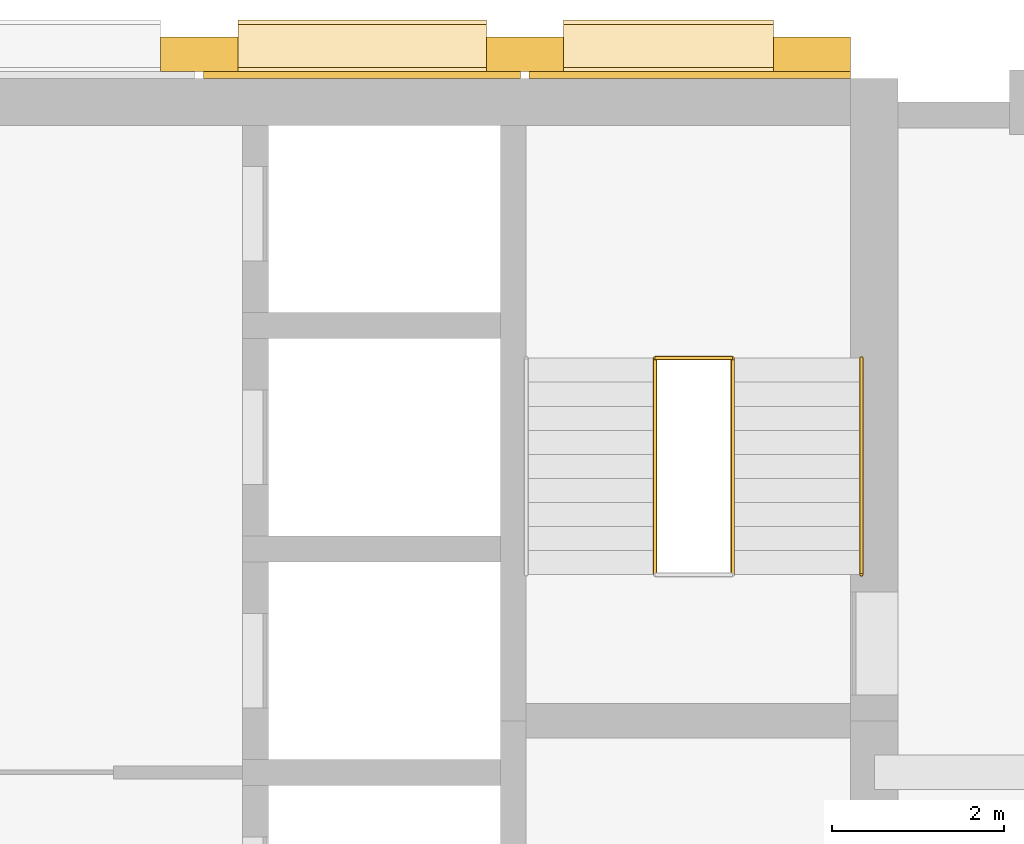
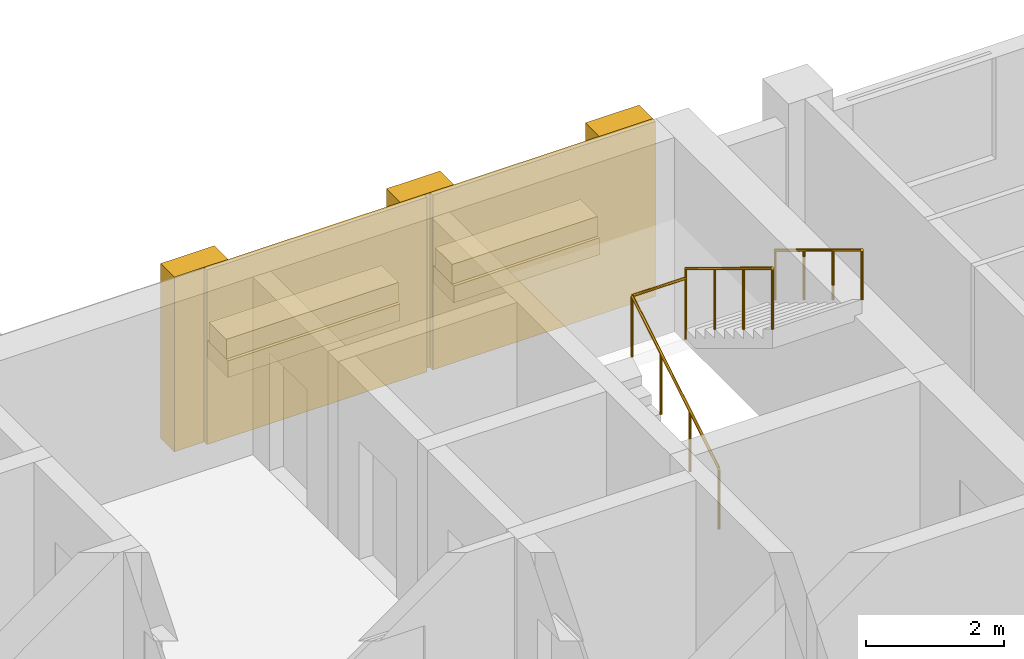
# One storey, part 13 of 13: 9 coverings, 4 railings, 1 element without a shape of its own.
"""IFC4 building model written with IfcOpenShell, lengths in metres."""

from ifc_helpers import new_model, si_unit, direction, frame, origin, origin_2d, place, context, subcontext, project, spatial, rectangle, circle, extrude, material, layer, layer_set, type_object, element, aggregate, save


model = new_model("IFC4")

# Units and contexts
model_context = context("Model", 3, precision=1e-05, world=origin(), true_north=direction((0.0, 1.0)))
body_context = subcontext(model_context, "Body", "Model", "MODEL_VIEW")
ifc_project = project(units=[si_unit("LENGTHUNIT", "METRE"), si_unit("AREAUNIT", "SQUARE_METRE"), si_unit("VOLUMEUNIT", "CUBIC_METRE"), si_unit("PLANEANGLEUNIT", "RADIAN"), si_unit("MASSUNIT", "GRAM", prefix="KILO")], contexts=[model_context])

# Site, building, storey
site_placement = place(None, origin())
site = spatial("IfcSite", under=ifc_project, at=site_placement, CompositionType="ELEMENT")
building_placement = place(site_placement, origin())
building = spatial("IfcBuilding", under=site, at=building_placement, Name="Ludao Terraces", CompositionType="ELEMENT")
storey_placement = place(building_placement, frame((0.0, 0.0, 148.60009765625)))
storey = spatial("IfcBuildingStorey", under=building, at=storey_placement, Name="L40", CompositionType="ELEMENT", Elevation=148.60009765625)

# Coverings
ifc_material_1 = material(Name="Granite cladding", Category="masonry")
ifc_layer_1 = layer(ifc_material_1, 0.39990234375)
ifc_layer_set_1 = layer_set([ifc_layer_1], Name="ENV Core pilaster stone 400")
covering_type_1 = type_object("IfcCoveringType", Name="ENV Core pilaster stone 400", PredefinedType="CLADDING", material=ifc_layer_set_1)
for number, where, z_axis, x_axis, name in (
    (1, (86.89501953125, 85.054931640625, -0.000244140625), (0.0, 0.0, 1.0), (1.0, 0.0, 0.0), "CC-L40-PIL4"),
    (2, (90.68505859375, 85.054931640625, -0.000244140625), (0.0, 0.0, 1.0), (1.0, 0.0, 0.0), "CC-L40-PIL5"),
    (3, (94.02490234375, 85.054931640625, -0.000244140625), (0.0, 0.0, 1.0), (1.0, 0.0, 0.0), "CC-L40-PIL6"),
):
    element("IfcCovering", number, at=place(storey_placement, frame(where, z_axis=z_axis, x_axis=x_axis)), inside=storey, type_object=covering_type_1, Name=name, PredefinedType="CLADDING", context=body_context, shape_type="SweptSolid", body=[
        extrude(rectangle(XDim=0.89990234375, YDim=0.39990234375, at=origin_2d()), origin(), (0.0, 0.0, 1.0), 3.10009765625),
    ])
ifc_layer_2 = layer(ifc_material_1, 0.60009765625)
ifc_layer_set_2 = layer_set([ifc_layer_2], Name="ENV Core planting shelf stone 600")
covering_type_2 = type_object("IfcCoveringType", Name="ENV Core planting shelf stone 600", PredefinedType="CLADDING", material=ifc_layer_set_2)
covering_1_placement = place(storey_placement, frame((88.7900390625, 85.155029296875, 1.0), z_axis=(0.0, 0.0, 1.0), x_axis=(1.0, 0.0, 0.0)))
element("IfcCovering", 4, at=covering_1_placement, inside=storey, type_object=covering_type_2, Name="CC-L40-SHELF4", PredefinedType="CLADDING", context=body_context, shape_type="SweptSolid", body=[
    extrude(rectangle(XDim=2.889892578125, YDim=0.60009765625, at=origin_2d()), origin(), (0.0, 0.0, 1.0), 0.300048828125),
])
covering_2_placement = place(storey_placement, frame((92.35498046875, 85.155029296875, 1.0), z_axis=(0.0, 0.0, 1.0), x_axis=(1.0, 0.0, 0.0)))
element("IfcCovering", 5, at=covering_2_placement, inside=storey, type_object=covering_type_2, Name="CC-L40-SHELF5", PredefinedType="CLADDING", context=body_context, shape_type="SweptSolid", body=[
    extrude(rectangle(XDim=2.43994140625, YDim=0.60009765625, at=origin_2d()), origin(), (0.0, 0.0, 1.0), 0.300048828125),
])
ifc_layer_3 = layer(ifc_material_1, 0.080078125)
ifc_layer_set_3 = layer_set([ifc_layer_3], Name="ENV Core stone cladding panel 80")
covering_type_3 = type_object("IfcCoveringType", Name="ENV Core stone cladding panel 80", PredefinedType="CLADDING", material=ifc_layer_set_3)
covering_3_placement = place(storey_placement, frame((88.7900390625, 84.81494140625, -0.000244140625), z_axis=(0.0, 0.0, 1.0), x_axis=(1.0, 0.0, 0.0)))
element("IfcCovering", 6, at=covering_3_placement, inside=storey, type_object=covering_type_3, Name="CC-L40-CORE4", PredefinedType="CLADDING", context=body_context, shape_type="SweptSolid", body=[
    extrude(rectangle(XDim=3.68994140625, YDim=0.080078125, at=origin_2d()), origin(), (0.0, 0.0, 1.0), 3.10009765625),
])
covering_4_placement = place(storey_placement, frame((92.60498046875, 84.81494140625, -0.000244140625), z_axis=(0.0, 0.0, 1.0), x_axis=(1.0, 0.0, 0.0)))
element("IfcCovering", 7, at=covering_4_placement, inside=storey, type_object=covering_type_3, Name="CC-L40-CORE5", PredefinedType="CLADDING", context=body_context, shape_type="SweptSolid", body=[
    extrude(rectangle(XDim=3.739990234375, YDim=0.080078125, at=origin_2d()), origin(), (0.0, 0.0, 1.0), 3.10009765625),
])
ifc_material_2 = material(Name="Planting")
ifc_layer_4 = layer(ifc_material_2, 0.5)
ifc_layer_set_4 = layer_set([ifc_layer_4], Name="ENV Shelf planting bed 350")
covering_type_4 = type_object("IfcCoveringType", Name="ENV Shelf planting bed 350", PredefinedType="USERDEFINED", material=ifc_layer_set_4)
covering_5_placement = place(storey_placement, frame((88.7900390625, 85.155029296875, 1.2998046875), z_axis=(0.0, 0.0, 1.0), x_axis=(1.0, 0.0, 0.0)))
element("IfcCovering", 8, at=covering_5_placement, inside=storey, type_object=covering_type_4, Name="Shelf planting bed L40 4", ObjectType="PLANTING", PredefinedType="USERDEFINED", context=body_context, shape_type="SweptSolid", body=[
    extrude(rectangle(XDim=2.889892578125, YDim=0.5, at=origin_2d()), origin(), (0.0, 0.0, 1.0), 0.35009765625),
])
covering_6_placement = place(storey_placement, frame((92.35498046875, 85.155029296875, 1.2998046875), z_axis=(0.0, 0.0, 1.0), x_axis=(1.0, 0.0, 0.0)))
element("IfcCovering", 9, at=covering_6_placement, inside=storey, type_object=covering_type_4, Name="Shelf planting bed L40 5", ObjectType="PLANTING", PredefinedType="USERDEFINED", context=body_context, shape_type="SweptSolid", body=[
    extrude(rectangle(XDim=2.43994140625, YDim=0.5, at=origin_2d()), origin(), (0.0, 0.0, 1.0), 0.35009765625),
])

# Stair, railings
ifc_material_3 = material(Name="Concrete C40", Category="concrete")
stair_type = type_object("IfcStairType", Name="INT Stair", PredefinedType="HALF_TURN_STAIR", material=ifc_material_3)
stair_placement = place(storey_placement, origin())
stair = element("IfcStair", 10, at=stair_placement, inside=storey, type_object=stair_type, Name="EXIT STAIR 2", PredefinedType="HALF_TURN_STAIR")
ifc_material_4 = material(Name="Stainless steel 304", Category="steel")
railing_type_1 = type_object("IfcRailingType", Name="INT Stair guard 1100", PredefinedType="GUARDRAIL", material=ifc_material_4)
railing_1_placement = place(storey_placement, frame((92.199951171875, 79.0, 0.169921875)))
railing_1 = element("IfcRailing", 11, at=railing_1_placement, type_object=railing_type_1, Name="ST-L40-S2-R1G", PredefinedType="GUARDRAIL", context=body_context, shape_type="SweptSolid", body=[
    extrude(circle(Radius=0.02392578125, at=origin_2d()), frame((0.0, 0.0, 1.076171875), z_axis=(0.0, 0.85478489116, 0.518982456201), x_axis=(-1.0, 0.0, 0.0)), (0.0, 0.0, 1.0), 2.9482421875),
    extrude(circle(Radius=0.02099609375, at=origin_2d()), origin(), (0.0, 0.0, 1.0), 1.052001953125),
    extrude(circle(Radius=0.02099609375, at=origin_2d()), frame((0.0, 0.840087890625, 0.510009765625)), (0.0, 0.0, 1.0), 1.052001953125),
    extrude(circle(Radius=0.02099609375, at=origin_2d()), frame((0.0, 1.679931640625, 1.02001953125)), (0.0, 0.0, 1.0), 1.052001953125),
    extrude(circle(Radius=0.02099609375, at=origin_2d()), frame((0.0, 2.52001953125, 1.530029296875)), (0.0, 0.0, 1.0), 1.052001953125),
])
railing_2_placement = place(storey_placement, frame((93.10009765625, 81.52001953125, 1.869873046875)))
railing_2 = element("IfcRailing", 12, at=railing_2_placement, type_object=railing_type_1, Name="ST-L40-S2-R2G", PredefinedType="GUARDRAIL", context=body_context, shape_type="SweptSolid", body=[
    extrude(circle(Radius=0.02392578125, at=origin_2d()), frame((0.0, 0.0, 1.076171875), z_axis=(0.0, -0.85478489116, 0.518982456201), x_axis=(1.0, 0.0, 0.0)), (0.0, 0.0, 1.0), 2.9482421875),
    extrude(circle(Radius=0.02099609375, at=origin_2d()), origin(), (0.0, 0.0, 1.0), 1.052001953125),
    extrude(circle(Radius=0.02099609375, at=origin_2d()), frame((0.0, -0.840087890625, 0.510009765625)), (0.0, 0.0, 1.0), 1.052001953125),
    extrude(circle(Radius=0.02099609375, at=origin_2d()), frame((0.0, -1.679931640625, 1.02001953125)), (0.0, 0.0, 1.0), 1.052001953125),
    extrude(circle(Radius=0.02099609375, at=origin_2d()), frame((0.0, -2.52001953125, 1.530029296875)), (0.0, 0.0, 1.0), 1.052001953125),
])
railing_3_placement = place(storey_placement, frame((92.199951171875, 81.52001953125, 1.699951171875)))
railing_3 = element("IfcRailing", 13, at=railing_3_placement, type_object=railing_type_1, Name="ST-L40-S2-E1G", PredefinedType="GUARDRAIL", context=body_context, shape_type="SweptSolid", body=[
    extrude(circle(Radius=0.02392578125, at=origin_2d()), frame((0.0, 0.0, 1.076171875), z_axis=(1.0, 0.0, 0.0), x_axis=(0.0, 1.0, 0.0)), (0.0, 0.0, 1.0), 0.900146484375),
    extrude(circle(Radius=0.02099609375, at=origin_2d()), origin(), (0.0, 0.0, 1.0), 1.052001953125),
    extrude(circle(Radius=0.02099609375, at=origin_2d()), frame((0.900146484375, 0.0, 0.0)), (0.0, 0.0, 1.0), 1.052001953125),
])
railing_type_2 = type_object("IfcRailingType", Name="INT Stair handrail 900", PredefinedType="HANDRAIL", material=ifc_material_4)
railing_4_placement = place(storey_placement, frame((94.60009765625, 81.52001953125, 1.869873046875)))
railing_4 = element("IfcRailing", 14, at=railing_4_placement, type_object=railing_type_2, Name="ST-L40-S2-R2H", PredefinedType="HANDRAIL", context=body_context, shape_type="SweptSolid", body=[
    extrude(circle(Radius=0.02392578125, at=origin_2d()), frame((0.0, 0.0, 0.8759765625), z_axis=(0.0, -0.85478489116, 0.518982456201), x_axis=(1.0, 0.0, 0.0)), (0.0, 0.0, 1.0), 2.9482421875),
    extrude(circle(Radius=0.02099609375, at=origin_2d()), origin(), (0.0, 0.0, 1.0), 0.851806640625),
    extrude(circle(Radius=0.02099609375, at=origin_2d()), frame((0.0, -0.840087890625, 0.510009765625)), (0.0, 0.0, 1.0), 0.851806640625),
    extrude(circle(Radius=0.02099609375, at=origin_2d()), frame((0.0, -1.679931640625, 1.02001953125)), (0.0, 0.0, 1.0), 0.851806640625),
    extrude(circle(Radius=0.02099609375, at=origin_2d()), frame((0.0, -2.52001953125, 1.530029296875)), (0.0, 0.0, 1.0), 0.851806640625),
])
aggregate(stair, [railing_1, railing_2, railing_4, railing_3])

save(model, "model.ifc")
